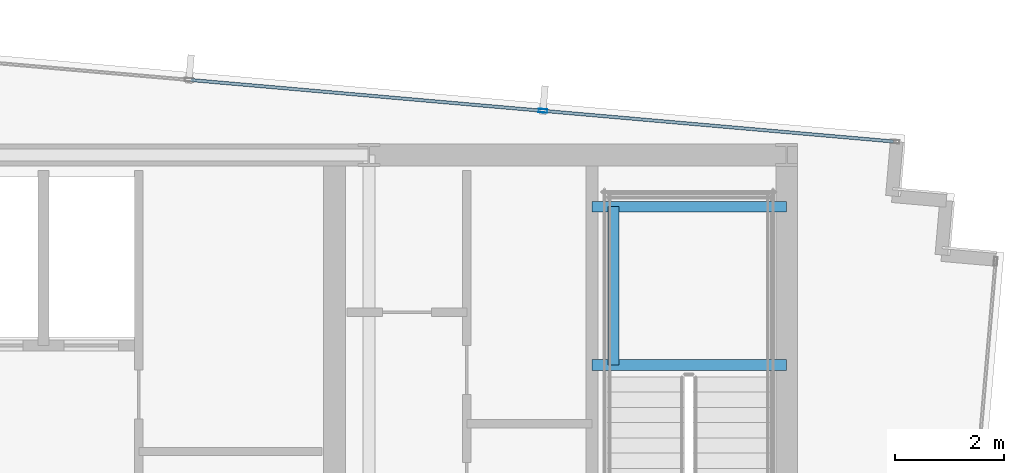
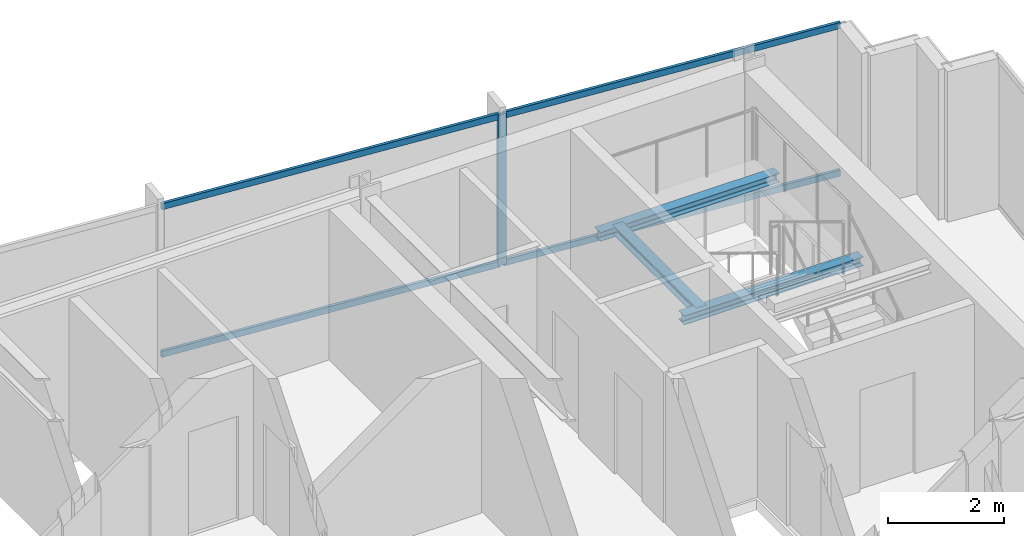
# One storey, part 20 of 33: 5 members, 3 beams, 1 element without a shape of its own.
"""IFC4 building model written with IfcOpenShell, lengths in metres."""

from ifc_helpers import new_model, si_unit, direction, frame, origin, origin_2d, place, context, subcontext, project, spatial, hollow_rectangle, i_section, extrude, material, material_profile, profile_set, type_object, element, aggregate, save


model = new_model("IFC4")

# Units and contexts
model_context = context("Model", 3, precision=1e-05, world=origin(), true_north=direction((0.0, 1.0)))
body_context = subcontext(model_context, "Body", "Model", "MODEL_VIEW")
ifc_project = project(units=[si_unit("LENGTHUNIT", "METRE"), si_unit("AREAUNIT", "SQUARE_METRE"), si_unit("VOLUMEUNIT", "CUBIC_METRE"), si_unit("PLANEANGLEUNIT", "RADIAN"), si_unit("MASSUNIT", "GRAM", prefix="KILO")], contexts=[model_context])

# Site, building, storey
site_placement = place(None, origin())
site = spatial("IfcSite", under=ifc_project, at=site_placement, CompositionType="ELEMENT")
building_placement = place(site_placement, origin())
building = spatial("IfcBuilding", under=site, at=building_placement, Name="Yelkora Congress Tower", CompositionType="ELEMENT")
storey_placement = place(building_placement, frame((0.0, 0.0, 286.300048828125)))
storey = spatial("IfcBuildingStorey", under=building, at=storey_placement, Name="L80", CompositionType="ELEMENT", Elevation=286.300048828125)

# Beams
ifc_material_1 = material(Name="Steel S355J2", Category="steel")
ifc_material_profile_1 = material_profile(ifc_material_1, i_section(OverallWidth=0.199951171875, OverallDepth=0.18994140625, WebThickness=0.006591796875, FlangeThickness=0.010009765625, FilletRadius=0.01806640625, at=origin_2d()), Name="HEA 200")
ifc_profile_set_1 = profile_set([ifc_material_profile_1], Name="Steel S355J2")
beam_type = type_object("IfcBeamType", Name="BM-LAND-HEA200", PredefinedType="BEAM", material=ifc_profile_set_1)
for number, where, z_axis, x_axis, name in (
    (1, (50.179931640625, 42.340087890625, 1.384521484375), (1.0, 0.0, 0.0), (0.0, 1.0, 0.0), "ST-02 L80 Landing Header Beam 1S"),
    (2, (50.179931640625, 45.25, 1.384521484375), (1.0, 0.0, 0.0), (0.0, 1.0, 0.0), "ST-02 L80 Landing Header Beam 1N"),
):
    element("IfcBeam", number, at=place(storey_placement, frame(where, z_axis=z_axis, x_axis=x_axis)), inside=storey, type_object=beam_type, Name=name, PredefinedType="BEAM", context=body_context, shape_type="SweptSolid", body=[
        extrude(i_section(OverallWidth=0.199951171875, OverallDepth=0.18994140625, WebThickness=0.006591796875, FlangeThickness=0.010009765625, FilletRadius=0.01806640625, at=origin_2d()), origin(), (0.0, 0.0, 1.0), 3.580078125),
    ])
beam_placement = place(storey_placement, frame((50.580078125, 42.340087890625, 1.384521484375), z_axis=(0.0, 1.0, 0.0), x_axis=(-1.0, 0.0, 0.0)))
element("IfcBeam", 3, at=beam_placement, inside=storey, type_object=beam_type, Name="ST-02 L80 Landing Trimmer Beam 1M", PredefinedType="BEAM", context=body_context, shape_type="SweptSolid", body=[
    extrude(i_section(OverallWidth=0.199951171875, OverallDepth=0.18994140625, WebThickness=0.006591796875, FlangeThickness=0.010009765625, FilletRadius=0.01806640625, at=origin_2d()), origin(), (0.0, 0.0, 1.0), 2.909912109375),
])

# Curtain wall, members
ifc_material_2 = material(Name="Anodised aluminium and insulated glass", Category="aluminium")
curtain_wall_type = type_object("IfcCurtainWallType", Name="CW-SYS-B5", PredefinedType="NOTDEFINED", material=ifc_material_2)
curtain_wall_placement = place(storey_placement, origin())
curtain_wall = element("IfcCurtainWall", 4, at=curtain_wall_placement, inside=storey, type_object=curtain_wall_type, Name="L80 Unitised Curtain Wall 10", PredefinedType="NOTDEFINED")
ifc_material_3 = material(Name="Anodised aluminium 6063-T6", Category="aluminium")
ifc_material_profile_2 = material_profile(ifc_material_3, hollow_rectangle(XDim=0.06494140625, YDim=0.159912109375, WallThickness=0.00390625, at=origin_2d()), Name="ALU 65x160x4")
ifc_profile_set_2 = profile_set([ifc_material_profile_2], Name="Anodised aluminium 6063-T6")
member_type_1 = type_object("IfcMemberType", Name="MEM-ML-B5", PredefinedType="MULLION", material=ifc_profile_set_2)
member_1_placement = place(storey_placement, frame((49.279541015625, 47.01220703125, 0.0), z_axis=(0.0, 0.0, 1.0), x_axis=(0.087156639893, 0.996194619601, 0.0)))
member_1 = element("IfcMember", 5, at=member_1_placement, type_object=member_type_1, Name="CW-B5 mullion 7", PredefinedType="MULLION", context=body_context, shape_type="SweptSolid", body=[
    extrude(hollow_rectangle(XDim=0.06494140625, YDim=0.159912109375, WallThickness=0.00390625, at=origin_2d()), origin(), (0.0, 0.0, 1.0), 3.179931640625),
])
ifc_material_profile_3 = material_profile(ifc_material_3, hollow_rectangle(XDim=0.06005859375, YDim=0.1298828125, WallThickness=0.00390625, at=origin_2d()), Name="ALU 60x130x4")
ifc_profile_set_3 = profile_set([ifc_material_profile_3], Name="Anodised aluminium 6063-T6")
member_type_2 = type_object("IfcMemberType", Name="MEM-TR-B5", PredefinedType="USERDEFINED", material=ifc_profile_set_3)
member_2_placement = place(storey_placement, frame((42.80517578125, 47.57861328125, 0.030029296875), z_axis=(0.996196257862, -0.087137912649, 0.0), x_axis=(0.087137912649, 0.996196257862, 0.0)))
member_2 = element("IfcMember", 6, at=member_2_placement, type_object=member_type_2, Name="CW-B5 transom 6.1", ObjectType="TRANSOM", PredefinedType="USERDEFINED", context=body_context, shape_type="SweptSolid", body=[
    extrude(hollow_rectangle(XDim=0.06005859375, YDim=0.1298828125, WallThickness=0.00390625, at=origin_2d()), origin(), (0.0, 0.0, 1.0), 6.466552734375),
])
member_3_placement = place(storey_placement, frame((42.80517578125, 47.57861328125, 3.14990234375), z_axis=(0.996196257862, -0.087137912649, 0.0), x_axis=(0.087137912649, 0.996196257862, 0.0)))
member_3 = element("IfcMember", 7, at=member_3_placement, type_object=member_type_2, Name="CW-B5 transom 6.2", ObjectType="TRANSOM", PredefinedType="USERDEFINED", context=body_context, shape_type="SweptSolid", body=[
    extrude(hollow_rectangle(XDim=0.06005859375, YDim=0.1298828125, WallThickness=0.00390625, at=origin_2d()), origin(), (0.0, 0.0, 1.0), 6.466552734375),
])
member_4_placement = place(storey_placement, frame((49.311767578125, 47.009521484375, 0.030029296875), z_axis=(0.996194170551, -0.08716177236, 0.0), x_axis=(0.08716177236, 0.996194170551, 0.0)))
member_4 = element("IfcMember", 8, at=member_4_placement, type_object=member_type_2, Name="CW-B5 transom 7.1", ObjectType="TRANSOM", PredefinedType="USERDEFINED", context=body_context, shape_type="SweptSolid", body=[
    extrude(hollow_rectangle(XDim=0.06005859375, YDim=0.1298828125, WallThickness=0.00390625, at=origin_2d()), origin(), (0.0, 0.0, 1.0), 6.433837890625),
])
member_5_placement = place(storey_placement, frame((49.311767578125, 47.009521484375, 3.14990234375), z_axis=(0.996194170551, -0.08716177236, 0.0), x_axis=(0.08716177236, 0.996194170551, 0.0)))
member_5 = element("IfcMember", 9, at=member_5_placement, type_object=member_type_2, Name="CW-B5 transom 7.2", ObjectType="TRANSOM", PredefinedType="USERDEFINED", context=body_context, shape_type="SweptSolid", body=[
    extrude(hollow_rectangle(XDim=0.06005859375, YDim=0.1298828125, WallThickness=0.00390625, at=origin_2d()), origin(), (0.0, 0.0, 1.0), 6.433837890625),
])
aggregate(curtain_wall, [member_1, member_2, member_3, member_4, member_5])

save(model, "model.ifc")
